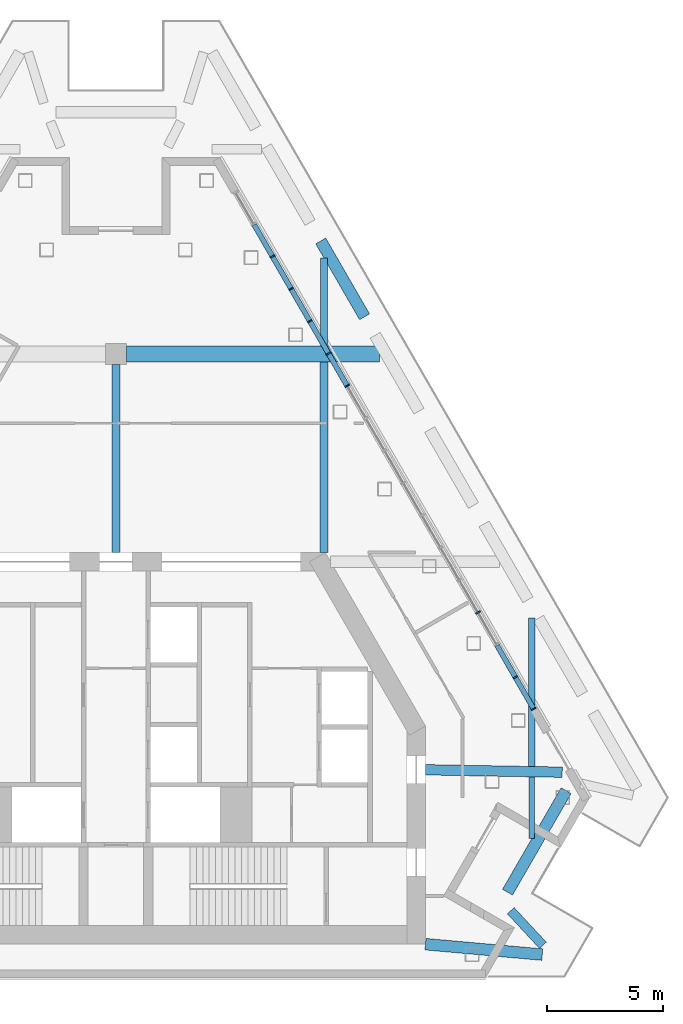
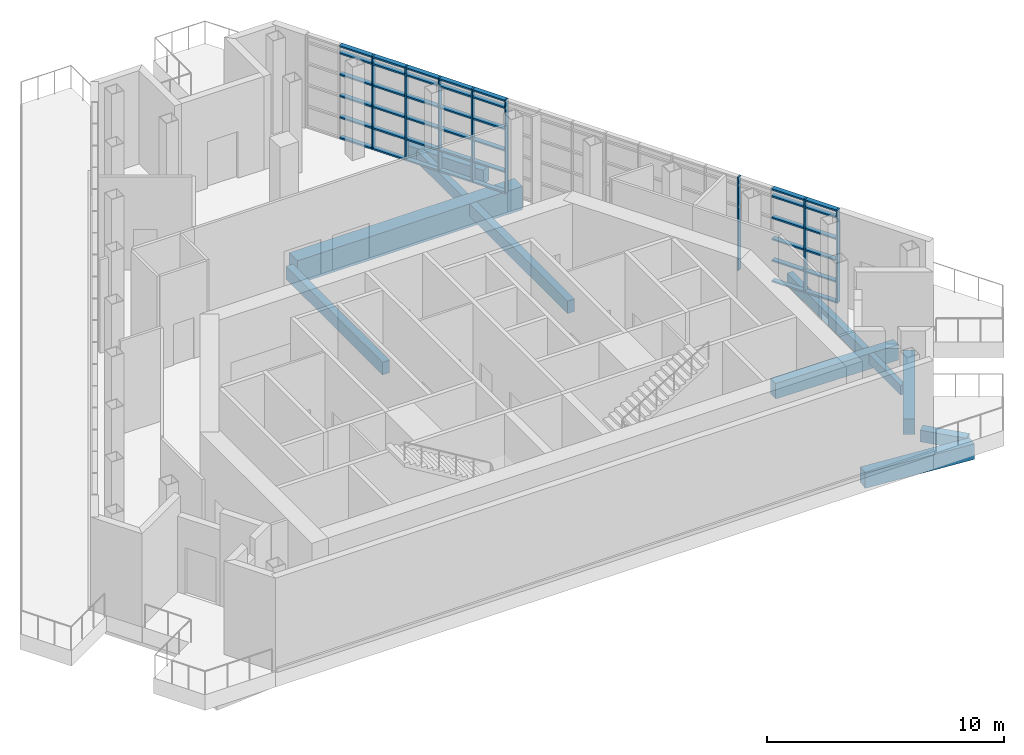
# One storey, part 4 of 15: 50 members, 11 beams, 1 element without a shape of its own.
"""IFC4 building model written with IfcOpenShell, lengths in metres."""

from ifc_helpers import new_model, si_unit, direction, frame, origin, origin_2d, place, context, subcontext, project, spatial, rectangle, extrude, material, material_profile, profile_set, type_object, element, aggregate, save


model = new_model("IFC4")

# Units and contexts
model_context = context("Model", 3, precision=1e-05, world=origin(), true_north=direction((0.0, 1.0)))
body_context = subcontext(model_context, "Body", "Model", "MODEL_VIEW")
ifc_project = project(units=[si_unit("LENGTHUNIT", "METRE"), si_unit("AREAUNIT", "SQUARE_METRE"), si_unit("VOLUMEUNIT", "CUBIC_METRE"), si_unit("PLANEANGLEUNIT", "RADIAN"), si_unit("MASSUNIT", "GRAM", prefix="KILO")], contexts=[model_context])

# Site, building, storey
site_placement = place(None, origin())
site = spatial("IfcSite", under=ifc_project, at=site_placement, CompositionType="ELEMENT")
building_placement = place(site_placement, origin())
building = spatial("IfcBuilding", under=site, at=building_placement, Name="Fogline Exchange Tower", CompositionType="ELEMENT")
storey_placement = place(building_placement, frame((0.0, 0.0, 344.699951171875)))
storey = spatial("IfcBuildingStorey", under=building, at=storey_placement, Name="L78", CompositionType="ELEMENT", Elevation=344.699951171875)

# Beams
ifc_material_1 = material(Name="Concrete C40", Category="concrete")
ifc_material_profile_1 = material_profile(ifc_material_1, rectangle(XDim=0.300048828125, YDim=0.60009765625, at=origin_2d()), Name="RC 300x600")
ifc_profile_set_1 = profile_set([ifc_material_profile_1], Name="Concrete C40")
beam_type_1 = type_object("IfcBeamType", Name="B06", PredefinedType="BEAM", material=ifc_profile_set_1)
beam_1_placement = place(storey_placement, frame((9.0, 27.35009765625, -1.099853515625), z_axis=(0.0, 1.0, 0.0), x_axis=(-1.0, 0.0, 0.0)))
element("IfcBeam", 1, at=beam_1_placement, inside=storey, type_object=beam_type_1, Name="SB007", PredefinedType="BEAM", context=body_context, shape_type="SweptSolid", body=[
    extrude(rectangle(XDim=0.300048828125, YDim=0.60009765625, at=origin_2d()), origin(), (0.0, 0.0, 1.0), 3.812255859375),
])
beam_2_placement = place(storey_placement, frame((18.0, 9.1435546875, -1.099853515625), z_axis=(0.0, 1.0, 0.0), x_axis=(-1.0, 0.0, 0.0)))
element("IfcBeam", 2, at=beam_2_placement, inside=storey, type_object=beam_type_1, Name="SB009", PredefinedType="BEAM", context=body_context, shape_type="SweptSolid", body=[
    extrude(rectangle(XDim=0.300048828125, YDim=0.60009765625, at=origin_2d()), origin(), (0.0, 0.0, 1.0), 6.416259765625),
])
ifc_material_profile_2 = material_profile(ifc_material_1, rectangle(XDim=0.25, YDim=0.5, at=origin_2d()), Name="RC 250x500")
ifc_profile_set_2 = profile_set([ifc_material_profile_2], Name="Concrete C40")
beam_type_2 = type_object("IfcBeamType", Name="B08", PredefinedType="BEAM", material=ifc_profile_set_2)
beam_3_placement = place(storey_placement, frame((18.0, 6.014404296875, -1.050048828125), z_axis=(0.0, 1.0, 0.0), x_axis=(-1.0, 0.0, 0.0)))
element("IfcBeam", 3, at=beam_3_placement, inside=storey, type_object=beam_type_2, Name="SB008", PredefinedType="BEAM", context=body_context, shape_type="SweptSolid", body=[
    extrude(rectangle(XDim=0.25, YDim=0.5, at=origin_2d()), origin(), (0.0, 0.0, 1.0), 2.67919921875),
])
ifc_material_profile_3 = material_profile(ifc_material_1, rectangle(XDim=0.5, YDim=0.800048828125, at=origin_2d()), Name="RC 500x800")
ifc_profile_set_3 = profile_set([ifc_material_profile_3], Name="Concrete C40")
beam_type_3 = type_object("IfcBeamType", Name="B10", PredefinedType="BEAM", material=ifc_profile_set_3)
beam_4_placement = place(storey_placement, frame((13.39990234375, 1.449951171875, -1.199951171875), z_axis=(0.996066324908, -0.088610814153, 0.0), x_axis=(0.088610814153, 0.996066324908, 0.0)))
element("IfcBeam", 4, at=beam_4_placement, inside=storey, type_object=beam_type_3, Name="RB005", PredefinedType="BEAM", context=body_context, shape_type="SweptSolid", body=[
    extrude(rectangle(XDim=0.5, YDim=0.800048828125, at=origin_2d()), origin(), (0.0, 0.0, 1.0), 5.077880859375),
])
beam_5_placement = place(storey_placement, frame((16.951904296875, 3.698974609375, -1.199951171875), z_axis=(0.499987508774, 0.866032615477, 0.0), x_axis=(-0.866032615477, 0.499987508774, 0.0)))
element("IfcBeam", 5, at=beam_5_placement, inside=storey, type_object=beam_type_3, Name="RB007", PredefinedType="BEAM", context=body_context, shape_type="SweptSolid", body=[
    extrude(rectangle(XDim=0.5, YDim=0.800048828125, at=origin_2d()), origin(), (0.0, 0.0, 1.0), 5.076416015625),
])
beam_6_placement = place(storey_placement, frame((10.76318359375, 28.608154296875, -1.199951171875), z_axis=(-0.499969613651, 0.86604294664, 0.0), x_axis=(-0.86604294664, -0.499969613651, 0.0)))
element("IfcBeam", 6, at=beam_6_placement, inside=storey, type_object=beam_type_3, Name="RB014", PredefinedType="BEAM", context=body_context, shape_type="SweptSolid", body=[
    extrude(rectangle(XDim=0.5, YDim=0.800048828125, at=origin_2d()), origin(), (0.0, 0.0, 1.0), 3.790771484375),
])
ifc_material_profile_4 = material_profile(ifc_material_1, rectangle(XDim=0.39990234375, YDim=0.60009765625, at=origin_2d()), Name="RC 400x600")
ifc_profile_set_4 = profile_set([ifc_material_profile_4], Name="Concrete C40")
beam_type_4 = type_object("IfcBeamType", Name="B11", PredefinedType="BEAM", material=ifc_profile_set_4)
beam_7_placement = place(storey_placement, frame((18.48583984375, 1.39990234375, -1.099853515625), z_axis=(-0.680743909802, 0.732521487239, 0.0), x_axis=(-0.732521487239, -0.680743909802, 0.0)))
element("IfcBeam", 7, at=beam_7_placement, inside=storey, type_object=beam_type_4, Name="RB006", PredefinedType="BEAM", context=body_context, shape_type="SweptSolid", body=[
    extrude(rectangle(XDim=0.39990234375, YDim=0.60009765625, at=origin_2d()), origin(), (0.0, 0.0, 1.0), 2.04638671875),
])
ifc_material_profile_5 = material_profile(ifc_material_1, rectangle(XDim=0.35009765625, YDim=0.64990234375, at=origin_2d()), Name="RC 350x650")
ifc_profile_set_5 = profile_set([ifc_material_profile_5], Name="Concrete C40")
beam_type_5 = type_object("IfcBeamType", Name="B16", PredefinedType="BEAM", material=ifc_profile_set_5)
beam_8_placement = place(storey_placement, frame((0.0, 18.39990234375, -1.125), z_axis=(0.0, 1.0, 0.0), x_axis=(-1.0, 0.0, 0.0)))
element("IfcBeam", 8, at=beam_8_placement, inside=storey, type_object=beam_type_5, Name="SB005", PredefinedType="BEAM", context=body_context, shape_type="SweptSolid", body=[
    extrude(rectangle(XDim=0.35009765625, YDim=0.64990234375, at=origin_2d()), origin(), (0.0, 0.0, 1.0), 8.150146484375),
])
beam_9_placement = place(storey_placement, frame((9.0, 18.39990234375, -1.125), z_axis=(0.0, 1.0, 0.0), x_axis=(-1.0, 0.0, 0.0)))
element("IfcBeam", 9, at=beam_9_placement, inside=storey, type_object=beam_type_5, Name="SB006", PredefinedType="BEAM", context=body_context, shape_type="SweptSolid", body=[
    extrude(rectangle(XDim=0.35009765625, YDim=0.64990234375, at=origin_2d()), origin(), (0.0, 0.0, 1.0), 8.25),
])
ifc_material_profile_6 = material_profile(ifc_material_1, rectangle(XDim=0.699951171875, YDim=1.199951171875, at=origin_2d()), Name="RC 700x1200")
ifc_profile_set_6 = profile_set([ifc_material_profile_6], Name="Concrete C40")
beam_type_6 = type_object("IfcBeamType", Name="B17", PredefinedType="BEAM", material=ifc_profile_set_6)
beam_10_placement = place(storey_placement, frame((0.449951171875, 27.0, -1.39990234375), z_axis=(1.0, 0.0, 0.0), x_axis=(0.0, 1.0, 0.0)))
element("IfcBeam", 10, at=beam_10_placement, inside=storey, type_object=beam_type_6, Name="GB006", PredefinedType="BEAM", context=body_context, shape_type="SweptSolid", body=[
    extrude(rectangle(XDim=0.699951171875, YDim=1.199951171875, at=origin_2d()), origin(), (0.0, 0.0, 1.0), 10.953369140625),
])
ifc_material_profile_7 = material_profile(ifc_material_1, rectangle(XDim=0.449951171875, YDim=0.800048828125, at=origin_2d()), Name="RC 450x800")
ifc_profile_set_7 = profile_set([ifc_material_profile_7], Name="Concrete C40")
beam_type_7 = type_object("IfcBeamType", Name="B18", PredefinedType="BEAM", material=ifc_profile_set_7)
beam_11_placement = place(storey_placement, frame((13.39990234375, 9.0, -1.199951171875), z_axis=(0.9998435817, -0.017686495817, 0.0), x_axis=(0.017686495817, 0.9998435817, 0.0)))
element("IfcBeam", 11, at=beam_11_placement, inside=storey, type_object=beam_type_7, Name="GB002", PredefinedType="BEAM", context=body_context, shape_type="SweptSolid", body=[
    extrude(rectangle(XDim=0.449951171875, YDim=0.800048828125, at=origin_2d()), origin(), (0.0, 0.0, 1.0), 5.921875),
])

# Curtain wall, members
ifc_material_2 = material(Name="Aluminium and glass", Category="aluminium")
curtain_wall_type = type_object("IfcCurtainWallType", Name="CW5", PredefinedType="NOTDEFINED", material=ifc_material_2)
curtain_wall_placement = place(storey_placement, origin())
curtain_wall = element("IfcCurtainWall", 12, at=curtain_wall_placement, inside=storey, type_object=curtain_wall_type, Name="CW5 L78 E run 1", PredefinedType="NOTDEFINED")
ifc_material_3 = material(Name="Aluminium", Category="aluminium")
ifc_material_profile_8 = material_profile(ifc_material_3, rectangle(XDim=0.219970703125, YDim=0.06494140625, at=origin_2d()), Name="Mullion 65x220")
ifc_profile_set_8 = profile_set([ifc_material_profile_8], Name="Aluminium")
member_type_1 = type_object("IfcMemberType", Name="CW5-M", PredefinedType="MULLION", material=ifc_profile_set_8)
member_1_placement = place(storey_placement, frame((18.08642578125, 11.634521484375, 0.0), z_axis=(0.0, 0.0, 1.0), x_axis=(-0.866025427189, -0.499999959462, 0.0)))
member_1 = element("IfcMember", 13, at=member_1_placement, type_object=member_type_1, Name="CW5-T26-01 mullion 1", PredefinedType="MULLION", context=body_context, shape_type="SweptSolid", body=[
    extrude(rectangle(XDim=0.219970703125, YDim=0.06494140625, at=origin_2d()), origin(), (0.0, 0.0, 1.0), 4.800048828125),
])
member_2_placement = place(storey_placement, frame((17.2939453125, 13.00732421875, 0.0), z_axis=(0.0, 0.0, 1.0), x_axis=(-0.866025427189, -0.499999959462, 0.0)))
member_2 = element("IfcMember", 14, at=member_2_placement, type_object=member_type_1, Name="CW5-T26-01 mullion 2", PredefinedType="MULLION", context=body_context, shape_type="SweptSolid", body=[
    extrude(rectangle(XDim=0.219970703125, YDim=0.06494140625, at=origin_2d()), origin(), (0.0, 0.0, 1.0), 4.800048828125),
])
member_3_placement = place(storey_placement, frame((15.676025390625, 15.8095703125, 0.0), z_axis=(0.0, 0.0, 1.0), x_axis=(-0.866025427189, -0.499999959462, 0.0)))
member_3 = element("IfcMember", 15, at=member_3_placement, type_object=member_type_1, Name="CW5-T26-01 mullion 4", PredefinedType="MULLION", context=body_context, shape_type="SweptSolid", body=[
    extrude(rectangle(XDim=0.219970703125, YDim=0.06494140625, at=origin_2d()), origin(), (0.0, 0.0, 1.0), 4.800048828125),
])
member_4_placement = place(storey_placement, frame((10.013671875, 25.616943359375, 0.0), z_axis=(0.0, 0.0, 1.0), x_axis=(-0.866025427189, -0.499999959462, 0.0)))
member_4 = element("IfcMember", 16, at=member_4_placement, type_object=member_type_1, Name="CW5-T26-01 mullion 11", PredefinedType="MULLION", context=body_context, shape_type="SweptSolid", body=[
    extrude(rectangle(XDim=0.219970703125, YDim=0.06494140625, at=origin_2d()), origin(), (0.0, 0.0, 1.0), 4.800048828125),
])
member_5_placement = place(storey_placement, frame((9.204833984375, 27.01806640625, 0.0), z_axis=(0.0, 0.0, 1.0), x_axis=(-0.866025427189, -0.499999959462, 0.0)))
member_5 = element("IfcMember", 17, at=member_5_placement, type_object=member_type_1, Name="CW5-T26-01 mullion 12", PredefinedType="MULLION", context=body_context, shape_type="SweptSolid", body=[
    extrude(rectangle(XDim=0.219970703125, YDim=0.06494140625, at=origin_2d()), origin(), (0.0, 0.0, 1.0), 4.800048828125),
])
member_6_placement = place(storey_placement, frame((8.39599609375, 28.419189453125, 0.0), z_axis=(0.0, 0.0, 1.0), x_axis=(-0.866025427189, -0.499999959462, 0.0)))
member_6 = element("IfcMember", 18, at=member_6_placement, type_object=member_type_1, Name="CW5-T26-01 mullion 13", PredefinedType="MULLION", context=body_context, shape_type="SweptSolid", body=[
    extrude(rectangle(XDim=0.219970703125, YDim=0.06494140625, at=origin_2d()), origin(), (0.0, 0.0, 1.0), 4.800048828125),
])
member_7_placement = place(storey_placement, frame((7.5869140625, 29.8203125, 0.0), z_axis=(0.0, 0.0, 1.0), x_axis=(-0.866025427189, -0.499999959462, 0.0)))
member_7 = element("IfcMember", 19, at=member_7_placement, type_object=member_type_1, Name="CW5-T26-01 mullion 14", PredefinedType="MULLION", context=body_context, shape_type="SweptSolid", body=[
    extrude(rectangle(XDim=0.219970703125, YDim=0.06494140625, at=origin_2d()), origin(), (0.0, 0.0, 1.0), 4.800048828125),
])
member_8_placement = place(storey_placement, frame((6.778076171875, 31.22119140625, 0.0), z_axis=(0.0, 0.0, 1.0), x_axis=(-0.866025427189, -0.499999959462, 0.0)))
member_8 = element("IfcMember", 20, at=member_8_placement, type_object=member_type_1, Name="CW5-T26-01 mullion 15", PredefinedType="MULLION", context=body_context, shape_type="SweptSolid", body=[
    extrude(rectangle(XDim=0.219970703125, YDim=0.06494140625, at=origin_2d()), origin(), (0.0, 0.0, 1.0), 4.800048828125),
])
ifc_material_profile_9 = material_profile(ifc_material_3, rectangle(XDim=0.219970703125, YDim=0.080078125, at=origin_2d()), Name="Transom 80x220")
ifc_profile_set_9 = profile_set([ifc_material_profile_9], Name="Aluminium")
member_type_2 = type_object("IfcMemberType", Name="CW5-T", PredefinedType="USERDEFINED", material=ifc_profile_set_9)
member_9_placement = place(storey_placement, frame((18.0703125, 11.66259765625, 0.0400390625), z_axis=(-0.500042151114, 0.86600106646, 0.0), x_axis=(-0.86600106646, -0.500042151114, 0.0)))
member_9 = element("IfcMember", 21, at=member_9_placement, type_object=member_type_2, Name="CW5-T26-01 transom 1.1", ObjectType="TRANSOM", PredefinedType="USERDEFINED", context=body_context, shape_type="SweptSolid", body=[
    extrude(rectangle(XDim=0.219970703125, YDim=0.080078125, at=origin_2d()), origin(), (0.0, 0.0, 1.0), 1.520263671875),
])
member_10_placement = place(storey_placement, frame((18.0703125, 11.66259765625, 1.10009765625), z_axis=(-0.500042151114, 0.86600106646, 0.0), x_axis=(-0.86600106646, -0.500042151114, 0.0)))
member_10 = element("IfcMember", 22, at=member_10_placement, type_object=member_type_2, Name="CW5-T26-01 transom 1.2", ObjectType="TRANSOM", PredefinedType="USERDEFINED", context=body_context, shape_type="SweptSolid", body=[
    extrude(rectangle(XDim=0.219970703125, YDim=0.080078125, at=origin_2d()), origin(), (0.0, 0.0, 1.0), 1.520263671875),
])
member_11_placement = place(storey_placement, frame((18.0703125, 11.66259765625, 2.199951171875), z_axis=(-0.500042151114, 0.86600106646, 0.0), x_axis=(-0.86600106646, -0.500042151114, 0.0)))
member_11 = element("IfcMember", 23, at=member_11_placement, type_object=member_type_2, Name="CW5-T26-01 transom 1.3", ObjectType="TRANSOM", PredefinedType="USERDEFINED", context=body_context, shape_type="SweptSolid", body=[
    extrude(rectangle(XDim=0.219970703125, YDim=0.080078125, at=origin_2d()), origin(), (0.0, 0.0, 1.0), 1.520263671875),
])
member_12_placement = place(storey_placement, frame((18.0703125, 11.66259765625, 3.300048828125), z_axis=(-0.500042151114, 0.86600106646, 0.0), x_axis=(-0.86600106646, -0.500042151114, 0.0)))
member_12 = element("IfcMember", 24, at=member_12_placement, type_object=member_type_2, Name="CW5-T26-01 transom 1.4", ObjectType="TRANSOM", PredefinedType="USERDEFINED", context=body_context, shape_type="SweptSolid", body=[
    extrude(rectangle(XDim=0.219970703125, YDim=0.080078125, at=origin_2d()), origin(), (0.0, 0.0, 1.0), 1.520263671875),
])
member_13_placement = place(storey_placement, frame((18.0703125, 11.66259765625, 4.400146484375), z_axis=(-0.500042151114, 0.86600106646, 0.0), x_axis=(-0.86600106646, -0.500042151114, 0.0)))
member_13 = element("IfcMember", 25, at=member_13_placement, type_object=member_type_2, Name="CW5-T26-01 transom 1.5", ObjectType="TRANSOM", PredefinedType="USERDEFINED", context=body_context, shape_type="SweptSolid", body=[
    extrude(rectangle(XDim=0.219970703125, YDim=0.080078125, at=origin_2d()), origin(), (0.0, 0.0, 1.0), 1.520263671875),
])
member_14_placement = place(storey_placement, frame((18.0703125, 11.66259765625, 4.760009765625), z_axis=(-0.500042151114, 0.86600106646, 0.0), x_axis=(-0.86600106646, -0.500042151114, 0.0)))
member_14 = element("IfcMember", 26, at=member_14_placement, type_object=member_type_2, Name="CW5-T26-01 transom 1.6", ObjectType="TRANSOM", PredefinedType="USERDEFINED", context=body_context, shape_type="SweptSolid", body=[
    extrude(rectangle(XDim=0.219970703125, YDim=0.080078125, at=origin_2d()), origin(), (0.0, 0.0, 1.0), 1.520263671875),
])
member_15_placement = place(storey_placement, frame((17.277587890625, 13.03564453125, 0.0400390625), z_axis=(-0.499994660107, 0.866028486751, 0.0), x_axis=(-0.866028486751, -0.499994660107, 0.0)))
member_15 = element("IfcMember", 27, at=member_15_placement, type_object=member_type_2, Name="CW5-T26-01 transom 2.1", ObjectType="TRANSOM", PredefinedType="USERDEFINED", context=body_context, shape_type="SweptSolid", body=[
    extrude(rectangle(XDim=0.219970703125, YDim=0.080078125, at=origin_2d()), origin(), (0.0, 0.0, 1.0), 1.552734375),
])
member_16_placement = place(storey_placement, frame((17.277587890625, 13.03564453125, 1.10009765625), z_axis=(-0.499994660107, 0.866028486751, 0.0), x_axis=(-0.866028486751, -0.499994660107, 0.0)))
member_16 = element("IfcMember", 28, at=member_16_placement, type_object=member_type_2, Name="CW5-T26-01 transom 2.2", ObjectType="TRANSOM", PredefinedType="USERDEFINED", context=body_context, shape_type="SweptSolid", body=[
    extrude(rectangle(XDim=0.219970703125, YDim=0.080078125, at=origin_2d()), origin(), (0.0, 0.0, 1.0), 1.552734375),
])
member_17_placement = place(storey_placement, frame((17.277587890625, 13.03564453125, 2.199951171875), z_axis=(-0.499994660107, 0.866028486751, 0.0), x_axis=(-0.866028486751, -0.499994660107, 0.0)))
member_17 = element("IfcMember", 29, at=member_17_placement, type_object=member_type_2, Name="CW5-T26-01 transom 2.3", ObjectType="TRANSOM", PredefinedType="USERDEFINED", context=body_context, shape_type="SweptSolid", body=[
    extrude(rectangle(XDim=0.219970703125, YDim=0.080078125, at=origin_2d()), origin(), (0.0, 0.0, 1.0), 1.552734375),
])
member_18_placement = place(storey_placement, frame((17.277587890625, 13.03564453125, 3.300048828125), z_axis=(-0.499994660107, 0.866028486751, 0.0), x_axis=(-0.866028486751, -0.499994660107, 0.0)))
member_18 = element("IfcMember", 30, at=member_18_placement, type_object=member_type_2, Name="CW5-T26-01 transom 2.4", ObjectType="TRANSOM", PredefinedType="USERDEFINED", context=body_context, shape_type="SweptSolid", body=[
    extrude(rectangle(XDim=0.219970703125, YDim=0.080078125, at=origin_2d()), origin(), (0.0, 0.0, 1.0), 1.552734375),
])
member_19_placement = place(storey_placement, frame((17.277587890625, 13.03564453125, 4.400146484375), z_axis=(-0.499994660107, 0.866028486751, 0.0), x_axis=(-0.866028486751, -0.499994660107, 0.0)))
member_19 = element("IfcMember", 31, at=member_19_placement, type_object=member_type_2, Name="CW5-T26-01 transom 2.5", ObjectType="TRANSOM", PredefinedType="USERDEFINED", context=body_context, shape_type="SweptSolid", body=[
    extrude(rectangle(XDim=0.219970703125, YDim=0.080078125, at=origin_2d()), origin(), (0.0, 0.0, 1.0), 1.552734375),
])
member_20_placement = place(storey_placement, frame((17.277587890625, 13.03564453125, 4.760009765625), z_axis=(-0.499994660107, 0.866028486751, 0.0), x_axis=(-0.866028486751, -0.499994660107, 0.0)))
member_20 = element("IfcMember", 32, at=member_20_placement, type_object=member_type_2, Name="CW5-T26-01 transom 2.6", ObjectType="TRANSOM", PredefinedType="USERDEFINED", context=body_context, shape_type="SweptSolid", body=[
    extrude(rectangle(XDim=0.219970703125, YDim=0.080078125, at=origin_2d()), origin(), (0.0, 0.0, 1.0), 1.552734375),
])
member_21_placement = place(storey_placement, frame((9.99755859375, 25.645263671875, 0.0400390625), z_axis=(-0.50011257031, 0.86596040153, 0.0), x_axis=(-0.86596040153, -0.50011257031, 0.0)))
member_21 = element("IfcMember", 33, at=member_21_placement, type_object=member_type_2, Name="CW5-T26-01 transom 11.1", ObjectType="TRANSOM", PredefinedType="USERDEFINED", context=body_context, shape_type="SweptSolid", body=[
    extrude(rectangle(XDim=0.219970703125, YDim=0.080078125, at=origin_2d()), origin(), (0.0, 0.0, 1.0), 1.552978515625),
])
member_22_placement = place(storey_placement, frame((9.99755859375, 25.645263671875, 1.10009765625), z_axis=(-0.50011257031, 0.86596040153, 0.0), x_axis=(-0.86596040153, -0.50011257031, 0.0)))
member_22 = element("IfcMember", 34, at=member_22_placement, type_object=member_type_2, Name="CW5-T26-01 transom 11.2", ObjectType="TRANSOM", PredefinedType="USERDEFINED", context=body_context, shape_type="SweptSolid", body=[
    extrude(rectangle(XDim=0.219970703125, YDim=0.080078125, at=origin_2d()), origin(), (0.0, 0.0, 1.0), 1.552978515625),
])
member_23_placement = place(storey_placement, frame((9.99755859375, 25.645263671875, 2.199951171875), z_axis=(-0.50011257031, 0.86596040153, 0.0), x_axis=(-0.86596040153, -0.50011257031, 0.0)))
member_23 = element("IfcMember", 35, at=member_23_placement, type_object=member_type_2, Name="CW5-T26-01 transom 11.3", ObjectType="TRANSOM", PredefinedType="USERDEFINED", context=body_context, shape_type="SweptSolid", body=[
    extrude(rectangle(XDim=0.219970703125, YDim=0.080078125, at=origin_2d()), origin(), (0.0, 0.0, 1.0), 1.552978515625),
])
member_24_placement = place(storey_placement, frame((9.99755859375, 25.645263671875, 3.300048828125), z_axis=(-0.50011257031, 0.86596040153, 0.0), x_axis=(-0.86596040153, -0.50011257031, 0.0)))
member_24 = element("IfcMember", 36, at=member_24_placement, type_object=member_type_2, Name="CW5-T26-01 transom 11.4", ObjectType="TRANSOM", PredefinedType="USERDEFINED", context=body_context, shape_type="SweptSolid", body=[
    extrude(rectangle(XDim=0.219970703125, YDim=0.080078125, at=origin_2d()), origin(), (0.0, 0.0, 1.0), 1.552978515625),
])
member_25_placement = place(storey_placement, frame((9.99755859375, 25.645263671875, 4.400146484375), z_axis=(-0.50011257031, 0.86596040153, 0.0), x_axis=(-0.86596040153, -0.50011257031, 0.0)))
member_25 = element("IfcMember", 37, at=member_25_placement, type_object=member_type_2, Name="CW5-T26-01 transom 11.5", ObjectType="TRANSOM", PredefinedType="USERDEFINED", context=body_context, shape_type="SweptSolid", body=[
    extrude(rectangle(XDim=0.219970703125, YDim=0.080078125, at=origin_2d()), origin(), (0.0, 0.0, 1.0), 1.552978515625),
])
member_26_placement = place(storey_placement, frame((9.99755859375, 25.645263671875, 4.760009765625), z_axis=(-0.50011257031, 0.86596040153, 0.0), x_axis=(-0.86596040153, -0.50011257031, 0.0)))
member_26 = element("IfcMember", 38, at=member_26_placement, type_object=member_type_2, Name="CW5-T26-01 transom 11.6", ObjectType="TRANSOM", PredefinedType="USERDEFINED", context=body_context, shape_type="SweptSolid", body=[
    extrude(rectangle(XDim=0.219970703125, YDim=0.080078125, at=origin_2d()), origin(), (0.0, 0.0, 1.0), 1.552978515625),
])
member_27_placement = place(storey_placement, frame((9.1884765625, 27.046142578125, 0.0400390625), z_axis=(-0.499926585285, 0.866067785641, 0.0), x_axis=(-0.866067785641, -0.499926585285, 0.0)))
member_27 = element("IfcMember", 39, at=member_27_placement, type_object=member_type_2, Name="CW5-T26-01 transom 12.1", ObjectType="TRANSOM", PredefinedType="USERDEFINED", context=body_context, shape_type="SweptSolid", body=[
    extrude(rectangle(XDim=0.219970703125, YDim=0.080078125, at=origin_2d()), origin(), (0.0, 0.0, 1.0), 1.552978515625),
])
member_28_placement = place(storey_placement, frame((9.1884765625, 27.046142578125, 1.10009765625), z_axis=(-0.499926585285, 0.866067785641, 0.0), x_axis=(-0.866067785641, -0.499926585285, 0.0)))
member_28 = element("IfcMember", 40, at=member_28_placement, type_object=member_type_2, Name="CW5-T26-01 transom 12.2", ObjectType="TRANSOM", PredefinedType="USERDEFINED", context=body_context, shape_type="SweptSolid", body=[
    extrude(rectangle(XDim=0.219970703125, YDim=0.080078125, at=origin_2d()), origin(), (0.0, 0.0, 1.0), 1.552978515625),
])
member_29_placement = place(storey_placement, frame((9.1884765625, 27.046142578125, 2.199951171875), z_axis=(-0.499926585285, 0.866067785641, 0.0), x_axis=(-0.866067785641, -0.499926585285, 0.0)))
member_29 = element("IfcMember", 41, at=member_29_placement, type_object=member_type_2, Name="CW5-T26-01 transom 12.3", ObjectType="TRANSOM", PredefinedType="USERDEFINED", context=body_context, shape_type="SweptSolid", body=[
    extrude(rectangle(XDim=0.219970703125, YDim=0.080078125, at=origin_2d()), origin(), (0.0, 0.0, 1.0), 1.552978515625),
])
member_30_placement = place(storey_placement, frame((9.1884765625, 27.046142578125, 3.300048828125), z_axis=(-0.499926585285, 0.866067785641, 0.0), x_axis=(-0.866067785641, -0.499926585285, 0.0)))
member_30 = element("IfcMember", 42, at=member_30_placement, type_object=member_type_2, Name="CW5-T26-01 transom 12.4", ObjectType="TRANSOM", PredefinedType="USERDEFINED", context=body_context, shape_type="SweptSolid", body=[
    extrude(rectangle(XDim=0.219970703125, YDim=0.080078125, at=origin_2d()), origin(), (0.0, 0.0, 1.0), 1.552978515625),
])
member_31_placement = place(storey_placement, frame((9.1884765625, 27.046142578125, 4.400146484375), z_axis=(-0.499926585285, 0.866067785641, 0.0), x_axis=(-0.866067785641, -0.499926585285, 0.0)))
member_31 = element("IfcMember", 43, at=member_31_placement, type_object=member_type_2, Name="CW5-T26-01 transom 12.5", ObjectType="TRANSOM", PredefinedType="USERDEFINED", context=body_context, shape_type="SweptSolid", body=[
    extrude(rectangle(XDim=0.219970703125, YDim=0.080078125, at=origin_2d()), origin(), (0.0, 0.0, 1.0), 1.552978515625),
])
member_32_placement = place(storey_placement, frame((9.1884765625, 27.046142578125, 4.760009765625), z_axis=(-0.499926585285, 0.866067785641, 0.0), x_axis=(-0.866067785641, -0.499926585285, 0.0)))
member_32 = element("IfcMember", 44, at=member_32_placement, type_object=member_type_2, Name="CW5-T26-01 transom 12.6", ObjectType="TRANSOM", PredefinedType="USERDEFINED", context=body_context, shape_type="SweptSolid", body=[
    extrude(rectangle(XDim=0.219970703125, YDim=0.080078125, at=origin_2d()), origin(), (0.0, 0.0, 1.0), 1.552978515625),
])
member_33_placement = place(storey_placement, frame((8.379638671875, 28.447265625, 0.0400390625), z_axis=(-0.499994660107, 0.866028486751, 0.0), x_axis=(-0.866028486751, -0.499994660107, 0.0)))
member_33 = element("IfcMember", 45, at=member_33_placement, type_object=member_type_2, Name="CW5-T26-01 transom 13.1", ObjectType="TRANSOM", PredefinedType="USERDEFINED", context=body_context, shape_type="SweptSolid", body=[
    extrude(rectangle(XDim=0.219970703125, YDim=0.080078125, at=origin_2d()), origin(), (0.0, 0.0, 1.0), 1.552734375),
])
member_34_placement = place(storey_placement, frame((8.379638671875, 28.447265625, 1.10009765625), z_axis=(-0.499994660107, 0.866028486751, 0.0), x_axis=(-0.866028486751, -0.499994660107, 0.0)))
member_34 = element("IfcMember", 46, at=member_34_placement, type_object=member_type_2, Name="CW5-T26-01 transom 13.2", ObjectType="TRANSOM", PredefinedType="USERDEFINED", context=body_context, shape_type="SweptSolid", body=[
    extrude(rectangle(XDim=0.219970703125, YDim=0.080078125, at=origin_2d()), origin(), (0.0, 0.0, 1.0), 1.552734375),
])
member_35_placement = place(storey_placement, frame((8.379638671875, 28.447265625, 2.199951171875), z_axis=(-0.499994660107, 0.866028486751, 0.0), x_axis=(-0.866028486751, -0.499994660107, 0.0)))
member_35 = element("IfcMember", 47, at=member_35_placement, type_object=member_type_2, Name="CW5-T26-01 transom 13.3", ObjectType="TRANSOM", PredefinedType="USERDEFINED", context=body_context, shape_type="SweptSolid", body=[
    extrude(rectangle(XDim=0.219970703125, YDim=0.080078125, at=origin_2d()), origin(), (0.0, 0.0, 1.0), 1.552734375),
])
member_36_placement = place(storey_placement, frame((8.379638671875, 28.447265625, 3.300048828125), z_axis=(-0.499994660107, 0.866028486751, 0.0), x_axis=(-0.866028486751, -0.499994660107, 0.0)))
member_36 = element("IfcMember", 48, at=member_36_placement, type_object=member_type_2, Name="CW5-T26-01 transom 13.4", ObjectType="TRANSOM", PredefinedType="USERDEFINED", context=body_context, shape_type="SweptSolid", body=[
    extrude(rectangle(XDim=0.219970703125, YDim=0.080078125, at=origin_2d()), origin(), (0.0, 0.0, 1.0), 1.552734375),
])
member_37_placement = place(storey_placement, frame((8.379638671875, 28.447265625, 4.400146484375), z_axis=(-0.499994660107, 0.866028486751, 0.0), x_axis=(-0.866028486751, -0.499994660107, 0.0)))
member_37 = element("IfcMember", 49, at=member_37_placement, type_object=member_type_2, Name="CW5-T26-01 transom 13.5", ObjectType="TRANSOM", PredefinedType="USERDEFINED", context=body_context, shape_type="SweptSolid", body=[
    extrude(rectangle(XDim=0.219970703125, YDim=0.080078125, at=origin_2d()), origin(), (0.0, 0.0, 1.0), 1.552734375),
])
member_38_placement = place(storey_placement, frame((8.379638671875, 28.447265625, 4.760009765625), z_axis=(-0.499994660107, 0.866028486751, 0.0), x_axis=(-0.866028486751, -0.499994660107, 0.0)))
member_38 = element("IfcMember", 50, at=member_38_placement, type_object=member_type_2, Name="CW5-T26-01 transom 13.6", ObjectType="TRANSOM", PredefinedType="USERDEFINED", context=body_context, shape_type="SweptSolid", body=[
    extrude(rectangle(XDim=0.219970703125, YDim=0.080078125, at=origin_2d()), origin(), (0.0, 0.0, 1.0), 1.552734375),
])
member_39_placement = place(storey_placement, frame((7.57080078125, 29.848388671875, 0.0400390625), z_axis=(-0.499994660107, 0.866028486751, 0.0), x_axis=(-0.866028486751, -0.499994660107, 0.0)))
member_39 = element("IfcMember", 51, at=member_39_placement, type_object=member_type_2, Name="CW5-T26-01 transom 14.1", ObjectType="TRANSOM", PredefinedType="USERDEFINED", context=body_context, shape_type="SweptSolid", body=[
    extrude(rectangle(XDim=0.219970703125, YDim=0.080078125, at=origin_2d()), origin(), (0.0, 0.0, 1.0), 1.552734375),
])
member_40_placement = place(storey_placement, frame((7.57080078125, 29.848388671875, 1.10009765625), z_axis=(-0.499994660107, 0.866028486751, 0.0), x_axis=(-0.866028486751, -0.499994660107, 0.0)))
member_40 = element("IfcMember", 52, at=member_40_placement, type_object=member_type_2, Name="CW5-T26-01 transom 14.2", ObjectType="TRANSOM", PredefinedType="USERDEFINED", context=body_context, shape_type="SweptSolid", body=[
    extrude(rectangle(XDim=0.219970703125, YDim=0.080078125, at=origin_2d()), origin(), (0.0, 0.0, 1.0), 1.552734375),
])
member_41_placement = place(storey_placement, frame((7.57080078125, 29.848388671875, 2.199951171875), z_axis=(-0.499994660107, 0.866028486751, 0.0), x_axis=(-0.866028486751, -0.499994660107, 0.0)))
member_41 = element("IfcMember", 53, at=member_41_placement, type_object=member_type_2, Name="CW5-T26-01 transom 14.3", ObjectType="TRANSOM", PredefinedType="USERDEFINED", context=body_context, shape_type="SweptSolid", body=[
    extrude(rectangle(XDim=0.219970703125, YDim=0.080078125, at=origin_2d()), origin(), (0.0, 0.0, 1.0), 1.552734375),
])
member_42_placement = place(storey_placement, frame((7.57080078125, 29.848388671875, 3.300048828125), z_axis=(-0.499994660107, 0.866028486751, 0.0), x_axis=(-0.866028486751, -0.499994660107, 0.0)))
member_42 = element("IfcMember", 54, at=member_42_placement, type_object=member_type_2, Name="CW5-T26-01 transom 14.4", ObjectType="TRANSOM", PredefinedType="USERDEFINED", context=body_context, shape_type="SweptSolid", body=[
    extrude(rectangle(XDim=0.219970703125, YDim=0.080078125, at=origin_2d()), origin(), (0.0, 0.0, 1.0), 1.552734375),
])
member_43_placement = place(storey_placement, frame((7.57080078125, 29.848388671875, 4.400146484375), z_axis=(-0.499994660107, 0.866028486751, 0.0), x_axis=(-0.866028486751, -0.499994660107, 0.0)))
member_43 = element("IfcMember", 55, at=member_43_placement, type_object=member_type_2, Name="CW5-T26-01 transom 14.5", ObjectType="TRANSOM", PredefinedType="USERDEFINED", context=body_context, shape_type="SweptSolid", body=[
    extrude(rectangle(XDim=0.219970703125, YDim=0.080078125, at=origin_2d()), origin(), (0.0, 0.0, 1.0), 1.552734375),
])
member_44_placement = place(storey_placement, frame((7.57080078125, 29.848388671875, 4.760009765625), z_axis=(-0.499994660107, 0.866028486751, 0.0), x_axis=(-0.866028486751, -0.499994660107, 0.0)))
member_44 = element("IfcMember", 56, at=member_44_placement, type_object=member_type_2, Name="CW5-T26-01 transom 14.6", ObjectType="TRANSOM", PredefinedType="USERDEFINED", context=body_context, shape_type="SweptSolid", body=[
    extrude(rectangle(XDim=0.219970703125, YDim=0.080078125, at=origin_2d()), origin(), (0.0, 0.0, 1.0), 1.552734375),
])
member_45_placement = place(storey_placement, frame((6.761962890625, 31.24951171875, 0.0400390625), z_axis=(-0.50011257031, 0.86596040153, 0.0), x_axis=(-0.86596040153, -0.50011257031, 0.0)))
member_45 = element("IfcMember", 57, at=member_45_placement, type_object=member_type_2, Name="CW5-T26-01 transom 15.1", ObjectType="TRANSOM", PredefinedType="USERDEFINED", context=body_context, shape_type="SweptSolid", body=[
    extrude(rectangle(XDim=0.219970703125, YDim=0.080078125, at=origin_2d()), origin(), (0.0, 0.0, 1.0), 1.552978515625),
])
member_46_placement = place(storey_placement, frame((6.761962890625, 31.24951171875, 1.10009765625), z_axis=(-0.50011257031, 0.86596040153, 0.0), x_axis=(-0.86596040153, -0.50011257031, 0.0)))
member_46 = element("IfcMember", 58, at=member_46_placement, type_object=member_type_2, Name="CW5-T26-01 transom 15.2", ObjectType="TRANSOM", PredefinedType="USERDEFINED", context=body_context, shape_type="SweptSolid", body=[
    extrude(rectangle(XDim=0.219970703125, YDim=0.080078125, at=origin_2d()), origin(), (0.0, 0.0, 1.0), 1.552978515625),
])
member_47_placement = place(storey_placement, frame((6.761962890625, 31.24951171875, 2.199951171875), z_axis=(-0.50011257031, 0.86596040153, 0.0), x_axis=(-0.86596040153, -0.50011257031, 0.0)))
member_47 = element("IfcMember", 59, at=member_47_placement, type_object=member_type_2, Name="CW5-T26-01 transom 15.3", ObjectType="TRANSOM", PredefinedType="USERDEFINED", context=body_context, shape_type="SweptSolid", body=[
    extrude(rectangle(XDim=0.219970703125, YDim=0.080078125, at=origin_2d()), origin(), (0.0, 0.0, 1.0), 1.552978515625),
])
member_48_placement = place(storey_placement, frame((6.761962890625, 31.24951171875, 3.300048828125), z_axis=(-0.50011257031, 0.86596040153, 0.0), x_axis=(-0.86596040153, -0.50011257031, 0.0)))
member_48 = element("IfcMember", 60, at=member_48_placement, type_object=member_type_2, Name="CW5-T26-01 transom 15.4", ObjectType="TRANSOM", PredefinedType="USERDEFINED", context=body_context, shape_type="SweptSolid", body=[
    extrude(rectangle(XDim=0.219970703125, YDim=0.080078125, at=origin_2d()), origin(), (0.0, 0.0, 1.0), 1.552978515625),
])
member_49_placement = place(storey_placement, frame((6.761962890625, 31.24951171875, 4.400146484375), z_axis=(-0.50011257031, 0.86596040153, 0.0), x_axis=(-0.86596040153, -0.50011257031, 0.0)))
member_49 = element("IfcMember", 61, at=member_49_placement, type_object=member_type_2, Name="CW5-T26-01 transom 15.5", ObjectType="TRANSOM", PredefinedType="USERDEFINED", context=body_context, shape_type="SweptSolid", body=[
    extrude(rectangle(XDim=0.219970703125, YDim=0.080078125, at=origin_2d()), origin(), (0.0, 0.0, 1.0), 1.552978515625),
])
member_50_placement = place(storey_placement, frame((6.761962890625, 31.24951171875, 4.760009765625), z_axis=(-0.50011257031, 0.86596040153, 0.0), x_axis=(-0.86596040153, -0.50011257031, 0.0)))
member_50 = element("IfcMember", 62, at=member_50_placement, type_object=member_type_2, Name="CW5-T26-01 transom 15.6", ObjectType="TRANSOM", PredefinedType="USERDEFINED", context=body_context, shape_type="SweptSolid", body=[
    extrude(rectangle(XDim=0.219970703125, YDim=0.080078125, at=origin_2d()), origin(), (0.0, 0.0, 1.0), 1.552978515625),
])
aggregate(curtain_wall, [member_1, member_2, member_3, member_4, member_5, member_6, member_7, member_8, member_9, member_10, member_11, member_12, member_13, member_14, member_15, member_16, member_17, member_18, member_19, member_20, member_21, member_22, member_23, member_24, member_25, member_26, member_27, member_28, member_29, member_30, member_31, member_32, member_33, member_34, member_35, member_36, member_37, member_38, member_39, member_40, member_41, member_42, member_43, member_44, member_45, member_46, member_47, member_48, member_49, member_50])

save(model, "model.ifc")
